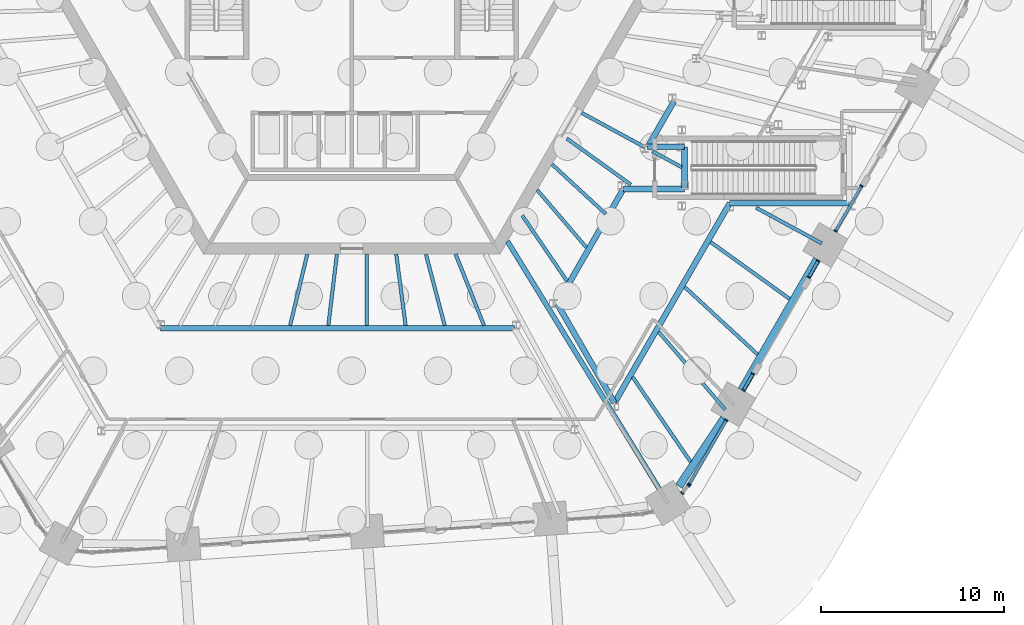
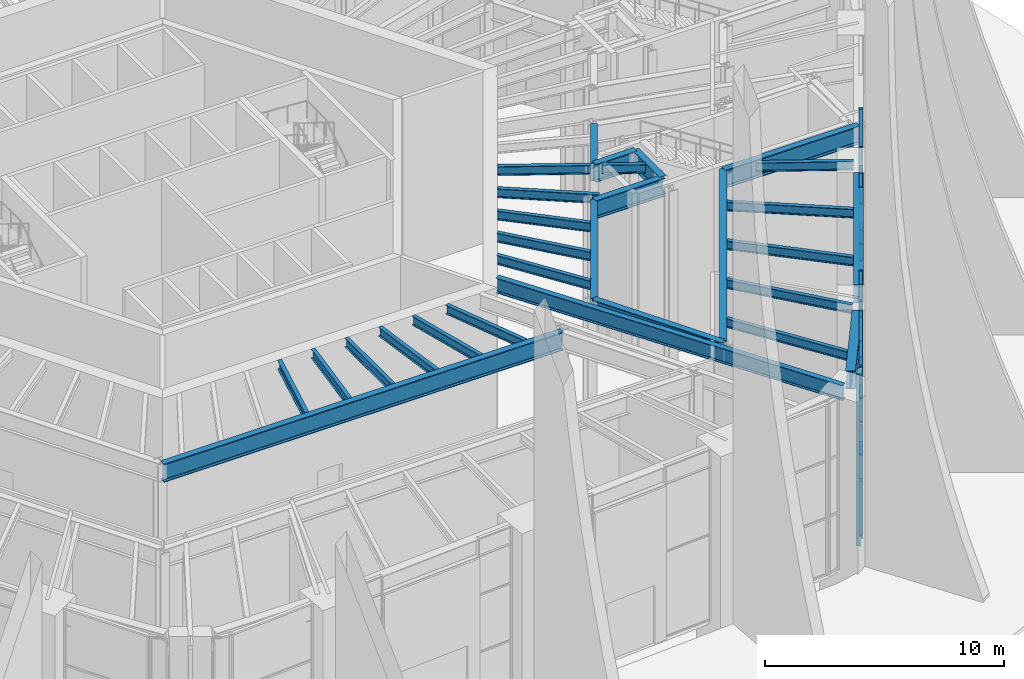
# One storey, part 7 of 43: 29 beams, 26 members, 5 elements without a shape of their own.
"""IFC4 building model written with IfcOpenShell, lengths in metres."""

from ifc_helpers import new_model, si_unit, direction, frame, origin, origin_2d, place, context, subcontext, project, spatial, rectangle, i_section, extrude, material, material_profile, profile_set, type_object, element, aggregate, save


model = new_model("IFC4")

# Units and contexts
model_context = context("Model", 3, precision=1e-05, world=origin(), true_north=direction((0.0, 1.0)))
body_context = subcontext(model_context, "Body", "Model", "MODEL_VIEW")
ifc_project = project(units=[si_unit("LENGTHUNIT", "METRE"), si_unit("AREAUNIT", "SQUARE_METRE"), si_unit("VOLUMEUNIT", "CUBIC_METRE"), si_unit("PLANEANGLEUNIT", "RADIAN"), si_unit("MASSUNIT", "GRAM", prefix="KILO")], contexts=[model_context])

# Site, building, storey
site_placement = place(None, origin())
site = spatial("IfcSite", under=ifc_project, at=site_placement, CompositionType="ELEMENT")
building_placement = place(site_placement, origin())
building = spatial("IfcBuilding", under=site, at=building_placement, Name="Tarnside Tower", CompositionType="ELEMENT")
storey_placement = place(building_placement, origin())
storey = spatial("IfcBuildingStorey", under=building, at=storey_placement, Name="L00", CompositionType="ELEMENT", Elevation=0.0)

# Beams
ifc_material_1 = material(Name="Steel S355", Category="steel")
ifc_material_profile_1 = material_profile(ifc_material_1, i_section(OverallWidth=0.18994140625, OverallDepth=0.453369140625, WebThickness=0.008544921875, FlangeThickness=0.0126953125, FilletRadius=0.01025390625, at=origin_2d()), Name="UB 457x191x67")
ifc_profile_set_1 = profile_set([ifc_material_profile_1], Name="Steel S355")
beam_type_1 = type_object("IfcBeamType", Name="Floor beam UB 457x191x67", PredefinedType="BEAM", material=ifc_profile_set_1)
beam_1_placement = place(storey_placement, frame((-3.35791015625, -17.892333984375, 8.523193359375), z_axis=(0.233123796342, 0.972447065695, 0.0), x_axis=(-0.972447065695, 0.233123796342, 0.0)))
element("IfcBeam", 1, at=beam_1_placement, inside=storey, type_object=beam_type_1, Name="Floor beam F4.03b", PredefinedType="BEAM", context=body_context, shape_type="SweptSolid", body=[
    extrude(i_section(OverallWidth=0.18994140625, OverallDepth=0.453369140625, WebThickness=0.008544921875, FlangeThickness=0.0126953125, FilletRadius=0.01025390625, at=origin_2d()), origin(), (0.0, 0.0, 1.0), 4.002685546875),
])
beam_2_placement = place(storey_placement, frame((-1.275146484375, -17.892333984375, 8.523193359375), z_axis=(0.119074004272, 0.992885381858, 0.0), x_axis=(-0.992885381858, 0.119074004272, 0.0)))
element("IfcBeam", 2, at=beam_2_placement, inside=storey, type_object=beam_type_1, Name="Floor beam F4.04b", PredefinedType="BEAM", context=body_context, shape_type="SweptSolid", body=[
    extrude(i_section(OverallWidth=0.18994140625, OverallDepth=0.453369140625, WebThickness=0.008544921875, FlangeThickness=0.0126953125, FilletRadius=0.01025390625, at=origin_2d()), origin(), (0.0, 0.0, 1.0), 3.920166015625),
])
beam_3_placement = place(storey_placement, frame((0.822509765625, -17.892333984375, 8.523193359375), z_axis=(-0.00363793616, 0.999993382688, 0.0), x_axis=(-0.999993382688, -0.00363793616, 0.0)))
element("IfcBeam", 3, at=beam_3_placement, inside=storey, type_object=beam_type_1, Name="Floor beam F4.05b", PredefinedType="BEAM", context=body_context, shape_type="SweptSolid", body=[
    extrude(i_section(OverallWidth=0.18994140625, OverallDepth=0.453369140625, WebThickness=0.008544921875, FlangeThickness=0.0126953125, FilletRadius=0.01025390625, at=origin_2d()), origin(), (0.0, 0.0, 1.0), 3.892333984375),
])
beam_4_placement = place(storey_placement, frame((2.935546875, -17.892333984375, 8.523193359375), z_axis=(-0.130102191191, 0.991500589938, 0.0), x_axis=(-0.991500589938, -0.130102191191, 0.0)))
element("IfcBeam", 4, at=beam_4_placement, inside=storey, type_object=beam_type_1, Name="Floor beam F4.06b", PredefinedType="BEAM", context=body_context, shape_type="SweptSolid", body=[
    extrude(i_section(OverallWidth=0.18994140625, OverallDepth=0.453369140625, WebThickness=0.008544921875, FlangeThickness=0.0126953125, FilletRadius=0.01025390625, at=origin_2d()), origin(), (0.0, 0.0, 1.0), 3.92578125),
])
beam_5_placement = place(storey_placement, frame((5.06494140625, -17.892333984375, 8.523193359375), z_axis=(-0.254293236428, 0.967127163256, 0.0), x_axis=(-0.967127163256, -0.254293236428, 0.0)))
element("IfcBeam", 5, at=beam_5_placement, inside=storey, type_object=beam_type_1, Name="Floor beam F4.07b", PredefinedType="BEAM", context=body_context, shape_type="SweptSolid", body=[
    extrude(i_section(OverallWidth=0.18994140625, OverallDepth=0.453369140625, WebThickness=0.008544921875, FlangeThickness=0.0126953125, FilletRadius=0.01025390625, at=origin_2d()), origin(), (0.0, 0.0, 1.0), 4.024658203125),
])
beam_6_placement = place(storey_placement, frame((7.211669921875, -17.892333984375, 8.523193359375), z_axis=(-0.37072769272, 0.928741609841, 0.0), x_axis=(-0.928741609841, -0.37072769272, 0.0)))
element("IfcBeam", 6, at=beam_6_placement, inside=storey, type_object=beam_type_1, Name="Floor beam F4.08b", PredefinedType="BEAM", context=body_context, shape_type="SweptSolid", body=[
    extrude(i_section(OverallWidth=0.18994140625, OverallDepth=0.453369140625, WebThickness=0.008544921875, FlangeThickness=0.0126953125, FilletRadius=0.01025390625, at=origin_2d()), origin(), (0.0, 0.0, 1.0), 4.19091796875),
])
beam_7_placement = place(storey_placement, frame((18.4658203125, -25.314697265625, 8.523193359375), z_axis=(-0.564344255159, 0.825539557907, 0.0), x_axis=(-0.825539557907, -0.564344255159, 0.0)))
element("IfcBeam", 7, at=beam_7_placement, inside=storey, type_object=beam_type_1, Name="Floor beam F5.01a", PredefinedType="BEAM", context=body_context, shape_type="SweptSolid", body=[
    extrude(i_section(OverallWidth=0.18994140625, OverallDepth=0.453369140625, WebThickness=0.008544921875, FlangeThickness=0.0126953125, FilletRadius=0.01025390625, at=origin_2d()), origin(), (0.0, 0.0, 1.0), 5.59228515625),
])
beam_8_placement = place(storey_placement, frame((11.73193359375, -15.46435546875, 8.523193359375), z_axis=(-0.564318985197, 0.825556832051, 0.0), x_axis=(-0.825556832051, -0.564318985197, 0.0)))
element("IfcBeam", 8, at=beam_8_placement, inside=storey, type_object=beam_type_1, Name="Floor beam F5.01b", PredefinedType="BEAM", context=body_context, shape_type="SweptSolid", body=[
    extrude(i_section(OverallWidth=0.18994140625, OverallDepth=0.453369140625, WebThickness=0.008544921875, FlangeThickness=0.0126953125, FilletRadius=0.01025390625, at=origin_2d()), origin(), (0.0, 0.0, 1.0), 4.317626953125),
])
beam_9_placement = place(storey_placement, frame((20.351806640625, -22.47021484375, 8.523193359375), z_axis=(-0.650354479954, 0.759630864568, 0.0), x_axis=(-0.759630864568, -0.650354479954, 0.0)))
element("IfcBeam", 9, at=beam_9_placement, inside=storey, type_object=beam_type_1, Name="Floor beam F5.02a", PredefinedType="BEAM", context=body_context, shape_type="SweptSolid", body=[
    extrude(i_section(OverallWidth=0.18994140625, OverallDepth=0.453369140625, WebThickness=0.008544921875, FlangeThickness=0.0126953125, FilletRadius=0.01025390625, at=origin_2d()), origin(), (0.0, 0.0, 1.0), 5.56982421875),
])
beam_10_placement = place(storey_placement, frame((12.787841796875, -13.63525390625, 8.523193359375), z_axis=(-0.650367471106, 0.75961974206, 0.0), x_axis=(-0.75961974206, -0.650367471106, 0.0)))
element("IfcBeam", 10, at=beam_10_placement, inside=storey, type_object=beam_type_1, Name="Floor beam F5.02b", PredefinedType="BEAM", context=body_context, shape_type="SweptSolid", body=[
    extrude(i_section(OverallWidth=0.18994140625, OverallDepth=0.453369140625, WebThickness=0.008544921875, FlangeThickness=0.0126953125, FilletRadius=0.01025390625, at=origin_2d()), origin(), (0.0, 0.0, 1.0), 4.12744140625),
])
beam_11_placement = place(storey_placement, frame((22.119384765625, -19.467529296875, 8.523193359375), z_axis=(-0.734091013074, 0.679051091247, 0.0), x_axis=(-0.679051091247, -0.734091013074, 0.0)))
element("IfcBeam", 11, at=beam_11_placement, inside=storey, type_object=beam_type_1, Name="Floor beam F5.03a", PredefinedType="BEAM", context=body_context, shape_type="SweptSolid", body=[
    extrude(i_section(OverallWidth=0.18994140625, OverallDepth=0.453369140625, WebThickness=0.008544921875, FlangeThickness=0.0126953125, FilletRadius=0.01025390625, at=origin_2d()), origin(), (0.0, 0.0, 1.0), 5.416015625),
])
beam_12_placement = place(storey_placement, frame((13.841796875, -11.81005859375, 8.523193359375), z_axis=(-0.734127645336, 0.679011487645, 0.0), x_axis=(-0.679011487645, -0.734127645336, 0.0)))
element("IfcBeam", 12, at=beam_12_placement, inside=storey, type_object=beam_type_1, Name="Floor beam F5.03b", PredefinedType="BEAM", context=body_context, shape_type="SweptSolid", body=[
    extrude(i_section(OverallWidth=0.18994140625, OverallDepth=0.453369140625, WebThickness=0.008544921875, FlangeThickness=0.0126953125, FilletRadius=0.01025390625, at=origin_2d()), origin(), (0.0, 0.0, 1.0), 3.990966796875),
])
beam_13_placement = place(storey_placement, frame((23.86669921875, -16.441162109375, 8.523193359375), z_axis=(-0.811649466332, 0.584144796949, 0.0), x_axis=(-0.584144796949, -0.811649466332, 0.0)))
element("IfcBeam", 13, at=beam_13_placement, inside=storey, type_object=beam_type_1, Name="Floor beam F5.04a", PredefinedType="BEAM", context=body_context, shape_type="SweptSolid", body=[
    extrude(i_section(OverallWidth=0.18994140625, OverallDepth=0.453369140625, WebThickness=0.008544921875, FlangeThickness=0.0126953125, FilletRadius=0.01025390625, at=origin_2d()), origin(), (0.0, 0.0, 1.0), 5.308837890625),
])
beam_14_placement = place(storey_placement, frame((15.208740234375, -10.21044921875, 8.523193359375), z_axis=(-0.811671151392, 0.584114665111, 0.0), x_axis=(-0.584114665111, -0.811671151392, 0.0)))
element("IfcBeam", 14, at=beam_14_placement, inside=storey, type_object=beam_type_1, Name="Floor beam F5.04b", PredefinedType="BEAM", context=body_context, shape_type="SweptSolid", body=[
    extrude(i_section(OverallWidth=0.18994140625, OverallDepth=0.453369140625, WebThickness=0.008544921875, FlangeThickness=0.0126953125, FilletRadius=0.01025390625, at=origin_2d()), origin(), (0.0, 0.0, 1.0), 4.2978515625),
])
beam_15_placement = place(storey_placement, frame((25.614013671875, -13.41455078125, 8.523193359375), z_axis=(-0.878558909546, 0.477634004712, 0.0), x_axis=(-0.477634004712, -0.878558909546, 0.0)))
element("IfcBeam", 15, at=beam_15_placement, inside=storey, type_object=beam_type_1, Name="Floor beam F5.05a", PredefinedType="BEAM", context=body_context, shape_type="SweptSolid", body=[
    extrude(i_section(OverallWidth=0.18994140625, OverallDepth=0.453369140625, WebThickness=0.008544921875, FlangeThickness=0.0126953125, FilletRadius=0.01025390625, at=origin_2d()), origin(), (0.0, 0.0, 1.0), 4.07373046875),
])
beam_16_placement = place(storey_placement, frame((17.982421875, -9.26513671875, 8.523193359375), z_axis=(-0.878595217191, 0.477567214462, 0.0), x_axis=(-0.477567214462, -0.878595217191, 0.0)))
element("IfcBeam", 16, at=beam_16_placement, inside=storey, type_object=beam_type_1, Name="Floor beam F5.05b", PredefinedType="BEAM", context=body_context, shape_type="SweptSolid", body=[
    extrude(i_section(OverallWidth=0.18994140625, OverallDepth=0.453369140625, WebThickness=0.008544921875, FlangeThickness=0.0126953125, FilletRadius=0.01025390625, at=origin_2d()), origin(), (0.0, 0.0, 1.0), 1.824462890625),
])
beam_17_placement = place(storey_placement, frame((15.94921875, -8.159912109375, 8.523193359375), z_axis=(-0.878536993759, 0.477674314357, 0.0), x_axis=(-0.477674314357, -0.878536993759, 0.0)))
element("IfcBeam", 17, at=beam_17_placement, inside=storey, type_object=beam_type_1, Name="Floor beam F5.05c", PredefinedType="BEAM", context=body_context, shape_type="SweptSolid", body=[
    extrude(i_section(OverallWidth=0.18994140625, OverallDepth=0.453369140625, WebThickness=0.008544921875, FlangeThickness=0.0126953125, FilletRadius=0.01025390625, at=origin_2d()), origin(), (0.0, 0.0, 1.0), 3.8935546875),
])
ifc_material_profile_2 = material_profile(ifc_material_1, i_section(OverallWidth=0.2666015625, OverallDepth=0.76220703125, WebThickness=0.014404296875, FlangeThickness=0.021484375, FilletRadius=0.0166015625, at=origin_2d()), Name="UB 762x267x173")
ifc_profile_set_2 = profile_set([ifc_material_profile_2], Name="Steel S355")
beam_type_2 = type_object("IfcBeamType", Name="Floor beam UB 762x267x173", PredefinedType="BEAM", material=ifc_profile_set_2)
beam_18_placement = place(storey_placement, frame((17.107421875, -27.364013671875, 8.368896484375), z_axis=(-0.522584616484, 0.852587425789, 0.0), x_axis=(-0.852587425789, -0.522584616484, 0.0)))
element("IfcBeam", 18, at=beam_18_placement, inside=storey, type_object=beam_type_2, Name="Floor beam C4", PredefinedType="BEAM", context=body_context, shape_type="SweptSolid", body=[
    extrude(i_section(OverallWidth=0.2666015625, OverallDepth=0.76220703125, WebThickness=0.014404296875, FlangeThickness=0.021484375, FilletRadius=0.0166015625, at=origin_2d()), origin(), (0.0, 0.0, 1.0), 16.49560546875),
])
ifc_material_profile_3 = material_profile(ifc_material_1, i_section(OverallWidth=0.3076171875, OverallDepth=0.926513671875, WebThickness=0.01953125, FlangeThickness=0.031982421875, FilletRadius=0.01904296875, at=origin_2d()), Name="UB 914x305x289")
ifc_profile_set_3 = profile_set([ifc_material_profile_3], Name="Steel S355")
beam_type_3 = type_object("IfcBeamType", Name="Perimeter girder UB 914x305x289", PredefinedType="BEAM", material=ifc_profile_set_3)
beam_19_placement = place(storey_placement, frame((16.13037109375, -8.15380859375, 8.28662109375), z_axis=(0.499993961228, 0.866028890243, 0.0), x_axis=(-0.866028890243, 0.499993961228, 0.0)))
element("IfcBeam", 19, at=beam_19_placement, inside=storey, type_object=beam_type_3, Name="Perimeter girder T13", PredefinedType="BEAM", context=body_context, shape_type="SweptSolid", body=[
    extrude(i_section(OverallWidth=0.3076171875, OverallDepth=0.926513671875, WebThickness=0.01953125, FlangeThickness=0.031982421875, FilletRadius=0.01904296875, at=origin_2d()), origin(), (0.0, 0.0, 1.0), 2.85400390625),
])
beam_20_placement = place(storey_placement, frame((27.11376953125, -11.228759765625, 8.28662109375), z_axis=(-1.0, 0.0, 0.0), x_axis=(0.0, -1.0, 0.0)))
element("IfcBeam", 20, at=beam_20_placement, inside=storey, type_object=beam_type_3, Name="Perimeter girder T17", PredefinedType="BEAM", context=body_context, shape_type="SweptSolid", body=[
    extrude(i_section(OverallWidth=0.3076171875, OverallDepth=0.926513671875, WebThickness=0.01953125, FlangeThickness=0.031982421875, FilletRadius=0.01904296875, at=origin_2d()), origin(), (0.0, 0.0, 1.0), 6.5146484375),
])
beam_21_placement = place(storey_placement, frame((20.59912109375, -11.228759765625, 8.28662109375), z_axis=(-0.499989388427, -0.866031530292, 0.0), x_axis=(0.866031530292, -0.499989388427, 0.0)))
element("IfcBeam", 21, at=beam_21_placement, inside=storey, type_object=beam_type_3, Name="Perimeter girder T18", PredefinedType="BEAM", context=body_context, shape_type="SweptSolid", body=[
    extrude(i_section(OverallWidth=0.3076171875, OverallDepth=0.926513671875, WebThickness=0.01953125, FlangeThickness=0.031982421875, FilletRadius=0.01904296875, at=origin_2d()), origin(), (0.0, 0.0, 1.0), 12.561767578125),
])
beam_22_placement = place(storey_placement, frame((14.318359375, -22.107666015625, 8.28662109375), z_axis=(-0.500020277997, 0.866013695961, 0.0), x_axis=(-0.866013695961, -0.500020277997, 0.0)))
element("IfcBeam", 22, at=beam_22_placement, inside=storey, type_object=beam_type_3, Name="Perimeter girder T19", PredefinedType="BEAM", context=body_context, shape_type="SweptSolid", body=[
    extrude(i_section(OverallWidth=0.3076171875, OverallDepth=0.926513671875, WebThickness=0.01953125, FlangeThickness=0.031982421875, FilletRadius=0.01904296875, at=origin_2d()), origin(), (0.0, 0.0, 1.0), 6.244384765625),
])
beam_23_placement = place(storey_placement, frame((11.196044921875, -16.699951171875, 8.28662109375), z_axis=(0.500029739169, 0.866008233186, 0.0), x_axis=(-0.866008233186, 0.500029739169, 0.0)))
element("IfcBeam", 23, at=beam_23_placement, inside=storey, type_object=beam_type_3, Name="Perimeter girder T20", PredefinedType="BEAM", context=body_context, shape_type="SweptSolid", body=[
    extrude(i_section(OverallWidth=0.3076171875, OverallDepth=0.926513671875, WebThickness=0.01953125, FlangeThickness=0.031982421875, FilletRadius=0.01904296875, at=origin_2d()), origin(), (0.0, 0.0, 1.0), 7.22119140625),
])
beam_24_placement = place(storey_placement, frame((14.806884765625, -10.4462890625, 8.28662109375), z_axis=(1.0, 0.0, 0.0), x_axis=(0.0, 1.0, 0.0)))
element("IfcBeam", 24, at=beam_24_placement, inside=storey, type_object=beam_type_3, Name="Perimeter girder T21", PredefinedType="BEAM", context=body_context, shape_type="SweptSolid", body=[
    extrude(i_section(OverallWidth=0.3076171875, OverallDepth=0.926513671875, WebThickness=0.01953125, FlangeThickness=0.031982421875, FilletRadius=0.01904296875, at=origin_2d()), origin(), (0.0, 0.0, 1.0), 3.329345703125),
])
beam_25_placement = place(storey_placement, frame((18.13623046875, -10.4462890625, 8.28662109375), z_axis=(0.0, 1.0, 0.0), x_axis=(-1.0, 0.0, 0.0)))
element("IfcBeam", 25, at=beam_25_placement, inside=storey, type_object=beam_type_3, Name="Perimeter girder T22", PredefinedType="BEAM", context=body_context, shape_type="SweptSolid", body=[
    extrude(i_section(OverallWidth=0.3076171875, OverallDepth=0.926513671875, WebThickness=0.01953125, FlangeThickness=0.031982421875, FilletRadius=0.01904296875, at=origin_2d()), origin(), (0.0, 0.0, 1.0), 2.29248046875),
])
beam_26_placement = place(storey_placement, frame((18.13623046875, -8.15380859375, 8.28662109375), z_axis=(-1.0, 0.0, 0.0), x_axis=(0.0, -1.0, 0.0)))
element("IfcBeam", 26, at=beam_26_placement, inside=storey, type_object=beam_type_3, Name="Perimeter girder T23", PredefinedType="BEAM", context=body_context, shape_type="SweptSolid", body=[
    extrude(i_section(OverallWidth=0.3076171875, OverallDepth=0.926513671875, WebThickness=0.01953125, FlangeThickness=0.031982421875, FilletRadius=0.01904296875, at=origin_2d()), origin(), (0.0, 0.0, 1.0), 2.005859375),
])
beam_27_placement = place(storey_placement, frame((-10.4189453125, -18.046142578125, 8.28662109375), z_axis=(1.0, 0.0, 0.0), x_axis=(0.0, 1.0, 0.0)))
element("IfcBeam", 27, at=beam_27_placement, inside=storey, type_object=beam_type_3, Name="Perimeter girder T60", PredefinedType="BEAM", context=body_context, shape_type="SweptSolid", body=[
    extrude(i_section(OverallWidth=0.3076171875, OverallDepth=0.926513671875, WebThickness=0.01953125, FlangeThickness=0.031982421875, FilletRadius=0.01904296875, at=origin_2d()), origin(), (0.0, 0.0, 1.0), 19.283447265625),
])
ifc_material_2 = material(Name="Steel S460", Category="steel")
ifc_material_profile_4 = material_profile(ifc_material_2, i_section(OverallWidth=0.42041015625, OverallDepth=0.9208984375, WebThickness=0.021484375, FlangeThickness=0.03662109375, FilletRadius=0.024169921875, at=origin_2d()), Name="UB 914x419x388")
ifc_profile_set_4 = profile_set([ifc_material_profile_4], Name="Steel S460")
beam_type_4 = type_object("IfcBeamType", Name="Perimeter girder UB 914x419x388", PredefinedType="BEAM", material=ifc_profile_set_4)
beam_28_placement = place(storey_placement, frame((17.833251953125, -26.649658203125, 8.28955078125), z_axis=(0.55252857913, 0.833493952734, 0.0), x_axis=(-0.833493952734, 0.55252857913, 0.0)))
element("IfcBeam", 28, at=beam_28_placement, inside=storey, type_object=beam_type_4, Name="Perimeter girder M16", PredefinedType="BEAM", context=body_context, shape_type="SweptSolid", body=[
    extrude(i_section(OverallWidth=0.42041015625, OverallDepth=0.9208984375, WebThickness=0.021484375, FlangeThickness=0.03662109375, FilletRadius=0.024169921875, at=origin_2d()), origin(), (0.0, 0.0, 1.0), 4.440185546875),
])
beam_29_placement = place(storey_placement, frame((21.2451171875, -21.402587890625, 8.28955078125), z_axis=(0.499989712218, 0.866031343357, 0.0), x_axis=(-0.866031343357, 0.499989712218, 0.0)))
element("IfcBeam", 29, at=beam_29_placement, inside=storey, type_object=beam_type_4, Name="Perimeter girder M17", PredefinedType="BEAM", context=body_context, shape_type="SweptSolid", body=[
    extrude(i_section(OverallWidth=0.42041015625, OverallDepth=0.9208984375, WebThickness=0.021484375, FlangeThickness=0.03662109375, FilletRadius=0.024169921875, at=origin_2d()), origin(), (0.0, 0.0, 1.0), 8.223876953125),
])

# Curtain wall, members
ifc_material_3 = material(Name="Station concourse glazing wall", Category="glass")
curtain_wall_type = type_object("IfcCurtainWallType", Name="Station concourse glazing wall", PredefinedType="NOTDEFINED", material=ifc_material_3)
curtain_wall_1_placement = place(storey_placement, origin())
curtain_wall_1 = element("IfcCurtainWall", 30, at=curtain_wall_1_placement, inside=storey, type_object=curtain_wall_type, Name="Station concourse glazing L00 15.0", PredefinedType="NOTDEFINED")
ifc_material_4 = material(Name="Aluminium alloy 6063", Category="aluminium")
ifc_material_profile_5 = material_profile(ifc_material_4, rectangle(XDim=0.199951171875, YDim=0.080078125, at=origin_2d()), Name="Station concourse glazing mullion 80 x 200")
ifc_profile_set_5 = profile_set([ifc_material_profile_5], Name="Aluminium alloy 6063")
member_type_1 = type_object("IfcMemberType", Name="Station concourse glazing mullion 80 x 200", PredefinedType="MULLION", material=ifc_profile_set_5)
member_1_placement = place(storey_placement, frame((18.00634765625, -27.025146484375, 0.0), z_axis=(0.0, 0.0, 1.0), x_axis=(-0.773471592273, 0.633830967961, 0.0)))
member_1 = element("IfcMember", 31, at=member_1_placement, type_object=member_type_1, Name="CW1 mullion 1", PredefinedType="MULLION", context=body_context, shape_type="SweptSolid", body=[
    extrude(rectangle(XDim=0.199951171875, YDim=0.080078125, at=origin_2d()), origin(), (0.0, 0.0, 1.0), 8.75),
])
member_2_placement = place(storey_placement, frame((18.341064453125, -26.61669921875, 0.0), z_axis=(0.0, 0.0, 1.0), x_axis=(-0.773471592273, 0.633830967961, 0.0)))
member_2 = element("IfcMember", 32, at=member_2_placement, type_object=member_type_1, Name="CW1 mullion 2", PredefinedType="MULLION", context=body_context, shape_type="SweptSolid", body=[
    extrude(rectangle(XDim=0.199951171875, YDim=0.080078125, at=origin_2d()), origin(), (0.0, 0.0, 1.0), 8.75),
])
aggregate(curtain_wall_1, [member_1, member_2])

curtain_wall_2_placement = place(storey_placement, origin())
curtain_wall_2 = element("IfcCurtainWall", 33, at=curtain_wall_2_placement, inside=storey, type_object=curtain_wall_type, Name="Station concourse glazing L00 15.1", PredefinedType="NOTDEFINED")
member_3_placement = place(storey_placement, frame((18.395751953125, -26.53759765625, 0.0), z_axis=(0.0, 0.0, 1.0), x_axis=(-0.866025403767, 0.50000000003, 0.0)))
member_3 = element("IfcMember", 34, at=member_3_placement, type_object=member_type_1, Name="CW1 mullion 1", PredefinedType="MULLION", context=body_context, shape_type="SweptSolid", body=[
    extrude(rectangle(XDim=0.199951171875, YDim=0.080078125, at=origin_2d()), origin(), (0.0, 0.0, 1.0), 8.75),
])
member_4_placement = place(storey_placement, frame((20.41162109375, -23.0458984375, 0.0), z_axis=(0.0, 0.0, 1.0), x_axis=(-0.866025403767, 0.50000000003, 0.0)))
member_4 = element("IfcMember", 35, at=member_4_placement, type_object=member_type_1, Name="CW1 mullion 2", PredefinedType="MULLION", context=body_context, shape_type="SweptSolid", body=[
    extrude(rectangle(XDim=0.199951171875, YDim=0.080078125, at=origin_2d()), origin(), (0.0, 0.0, 1.0), 8.75),
])

curtain_wall_3_placement = place(storey_placement, origin())
curtain_wall_3 = element("IfcCurtainWall", 36, at=curtain_wall_3_placement, inside=storey, type_object=curtain_wall_type, Name="Side light 16a", PredefinedType="NOTDEFINED")
member_5_placement = place(storey_placement, frame((21.3515625, -21.41796875, 0.0), z_axis=(0.0, 0.0, 1.0), x_axis=(-0.866025404195, 0.49999999929, 0.0)))
member_5 = element("IfcMember", 37, at=member_5_placement, type_object=member_type_1, Name="CW1 mullion 1", PredefinedType="MULLION", context=body_context, shape_type="SweptSolid", body=[
    extrude(rectangle(XDim=0.199951171875, YDim=0.080078125, at=origin_2d()), origin(), (0.0, 0.0, 1.0), 8.75),
])
member_6_placement = place(storey_placement, frame((21.86767578125, -20.524169921875, 0.0), z_axis=(0.0, 0.0, 1.0), x_axis=(-0.866025404195, 0.49999999929, 0.0)))
member_6 = element("IfcMember", 38, at=member_6_placement, type_object=member_type_1, Name="CW1 mullion 2", PredefinedType="MULLION", context=body_context, shape_type="SweptSolid", body=[
    extrude(rectangle(XDim=0.199951171875, YDim=0.080078125, at=origin_2d()), origin(), (0.0, 0.0, 1.0), 8.75),
])

curtain_wall_4_placement = place(storey_placement, origin())
curtain_wall_4 = element("IfcCurtainWall", 39, at=curtain_wall_4_placement, inside=storey, type_object=curtain_wall_type, Name="Side light 16b", PredefinedType="NOTDEFINED")
member_7_placement = place(storey_placement, frame((24.907470703125, -15.2587890625, 0.0), z_axis=(0.0, 0.0, 1.0), x_axis=(-0.866025403802, 0.49999999997, 0.0)))
member_7 = element("IfcMember", 40, at=member_7_placement, type_object=member_type_1, Name="CW1 mullion 1", PredefinedType="MULLION", context=body_context, shape_type="SweptSolid", body=[
    extrude(rectangle(XDim=0.199951171875, YDim=0.080078125, at=origin_2d()), origin(), (0.0, 0.0, 1.0), 8.75),
])
member_8_placement = place(storey_placement, frame((25.423583984375, -14.365234375, 0.0), z_axis=(0.0, 0.0, 1.0), x_axis=(-0.866025403802, 0.49999999997, 0.0)))
member_8 = element("IfcMember", 41, at=member_8_placement, type_object=member_type_1, Name="CW1 mullion 2", PredefinedType="MULLION", context=body_context, shape_type="SweptSolid", body=[
    extrude(rectangle(XDim=0.199951171875, YDim=0.080078125, at=origin_2d()), origin(), (0.0, 0.0, 1.0), 8.75),
])

curtain_wall_5_placement = place(storey_placement, origin())
curtain_wall_5 = element("IfcCurtainWall", 42, at=curtain_wall_5_placement, inside=storey, type_object=curtain_wall_type, Name="Side light 170a", PredefinedType="NOTDEFINED")
member_9_placement = place(storey_placement, frame((26.363525390625, -12.737060546875, 0.0), z_axis=(0.0, 0.0, 1.0), x_axis=(-0.866025403723, 0.500000000106, 0.0)))
member_9 = element("IfcMember", 43, at=member_9_placement, type_object=member_type_1, Name="CW1 mullion 1", PredefinedType="MULLION", context=body_context, shape_type="SweptSolid", body=[
    extrude(rectangle(XDim=0.199951171875, YDim=0.080078125, at=origin_2d()), origin(), (0.0, 0.0, 1.0), 8.75),
])
member_10_placement = place(storey_placement, frame((27.779296875, -10.28466796875, 0.0), z_axis=(0.0, 0.0, 1.0), x_axis=(-0.866025403723, 0.500000000106, 0.0)))
member_10 = element("IfcMember", 44, at=member_10_placement, type_object=member_type_1, Name="CW1 mullion 2", PredefinedType="MULLION", context=body_context, shape_type="SweptSolid", body=[
    extrude(rectangle(XDim=0.199951171875, YDim=0.080078125, at=origin_2d()), origin(), (0.0, 0.0, 1.0), 8.75),
])

# Member
ifc_material_profile_6 = material_profile(ifc_material_4, rectangle(XDim=0.159912109375, YDim=0.080078125, at=origin_2d()), Name="Station concourse glazing transom 80 x 160")
ifc_profile_set_6 = profile_set([ifc_material_profile_6], Name="Aluminium alloy 6063")
member_type_2 = type_object("IfcMemberType", Name="Station concourse glazing transom 80 x 160", PredefinedType="USERDEFINED", material=ifc_profile_set_6)
member_11_placement = place(storey_placement, frame((18.415771484375, -26.5029296875, 0.0400390625), z_axis=(0.499986281351, 0.866033324105, 0.0), x_axis=(-0.866033324105, 0.499986281351, 0.0)))
member_11 = element("IfcMember", 45, at=member_11_placement, type_object=member_type_2, Name="CW1 transom 1.1", ObjectType="TRANSOM", PredefinedType="USERDEFINED", context=body_context, shape_type="SweptSolid", body=[
    extrude(rectangle(XDim=0.159912109375, YDim=0.080078125, at=origin_2d()), origin(), (0.0, 0.0, 1.0), 3.95166015625),
])

member_12_placement = place(storey_placement, frame((18.415771484375, -26.5029296875, 2.916748046875), z_axis=(0.499986281351, 0.866033324105, 0.0), x_axis=(-0.866033324105, 0.499986281351, 0.0)))
member_12 = element("IfcMember", 46, at=member_12_placement, type_object=member_type_2, Name="CW1 transom 1.2", ObjectType="TRANSOM", PredefinedType="USERDEFINED", context=body_context, shape_type="SweptSolid", body=[
    extrude(rectangle(XDim=0.159912109375, YDim=0.080078125, at=origin_2d()), origin(), (0.0, 0.0, 1.0), 3.95166015625),
])

member_13_placement = place(storey_placement, frame((18.415771484375, -26.5029296875, 5.833251953125), z_axis=(0.499986281351, 0.866033324105, 0.0), x_axis=(-0.866033324105, 0.499986281351, 0.0)))
member_13 = element("IfcMember", 47, at=member_13_placement, type_object=member_type_2, Name="CW1 transom 1.3", ObjectType="TRANSOM", PredefinedType="USERDEFINED", context=body_context, shape_type="SweptSolid", body=[
    extrude(rectangle(XDim=0.159912109375, YDim=0.080078125, at=origin_2d()), origin(), (0.0, 0.0, 1.0), 3.95166015625),
])

member_14_placement = place(storey_placement, frame((18.415771484375, -26.5029296875, 8.7099609375), z_axis=(0.499986281351, 0.866033324105, 0.0), x_axis=(-0.866033324105, 0.499986281351, 0.0)))
member_14 = element("IfcMember", 48, at=member_14_placement, type_object=member_type_2, Name="CW1 transom 1.4", ObjectType="TRANSOM", PredefinedType="USERDEFINED", context=body_context, shape_type="SweptSolid", body=[
    extrude(rectangle(XDim=0.159912109375, YDim=0.080078125, at=origin_2d()), origin(), (0.0, 0.0, 1.0), 3.95166015625),
])

aggregate(curtain_wall_2, [member_3, member_4, member_11, member_12, member_13, member_14])

member_15_placement = place(storey_placement, frame((21.37158203125, -21.38330078125, 0.0400390625), z_axis=(0.500055416838, 0.865993406494, 0.0), x_axis=(-0.865993406494, 0.500055416838, 0.0)))
member_15 = element("IfcMember", 49, at=member_15_placement, type_object=member_type_2, Name="CW1 transom 1.1", ObjectType="TRANSOM", PredefinedType="USERDEFINED", context=body_context, shape_type="SweptSolid", body=[
    extrude(rectangle(XDim=0.159912109375, YDim=0.080078125, at=origin_2d()), origin(), (0.0, 0.0, 1.0), 0.9521484375),
])

member_16_placement = place(storey_placement, frame((21.37158203125, -21.38330078125, 2.916748046875), z_axis=(0.500055416838, 0.865993406494, 0.0), x_axis=(-0.865993406494, 0.500055416838, 0.0)))
member_16 = element("IfcMember", 50, at=member_16_placement, type_object=member_type_2, Name="CW1 transom 1.2", ObjectType="TRANSOM", PredefinedType="USERDEFINED", context=body_context, shape_type="SweptSolid", body=[
    extrude(rectangle(XDim=0.159912109375, YDim=0.080078125, at=origin_2d()), origin(), (0.0, 0.0, 1.0), 0.9521484375),
])

member_17_placement = place(storey_placement, frame((21.37158203125, -21.38330078125, 5.833251953125), z_axis=(0.500055416838, 0.865993406494, 0.0), x_axis=(-0.865993406494, 0.500055416838, 0.0)))
member_17 = element("IfcMember", 51, at=member_17_placement, type_object=member_type_2, Name="CW1 transom 1.3", ObjectType="TRANSOM", PredefinedType="USERDEFINED", context=body_context, shape_type="SweptSolid", body=[
    extrude(rectangle(XDim=0.159912109375, YDim=0.080078125, at=origin_2d()), origin(), (0.0, 0.0, 1.0), 0.9521484375),
])

member_18_placement = place(storey_placement, frame((21.37158203125, -21.38330078125, 8.7099609375), z_axis=(0.500055416838, 0.865993406494, 0.0), x_axis=(-0.865993406494, 0.500055416838, 0.0)))
member_18 = element("IfcMember", 52, at=member_18_placement, type_object=member_type_2, Name="CW1 transom 1.4", ObjectType="TRANSOM", PredefinedType="USERDEFINED", context=body_context, shape_type="SweptSolid", body=[
    extrude(rectangle(XDim=0.159912109375, YDim=0.080078125, at=origin_2d()), origin(), (0.0, 0.0, 1.0), 0.9521484375),
])

aggregate(curtain_wall_3, [member_5, member_6, member_15, member_16, member_17, member_18])

member_19_placement = place(storey_placement, frame((24.927490234375, -15.22412109375, 0.0400390625), z_axis=(0.500166486798, 0.865929261247, 0.0), x_axis=(-0.865929261247, 0.500166486798, 0.0)))
member_19 = element("IfcMember", 53, at=member_19_placement, type_object=member_type_2, Name="CW1 transom 1.1", ObjectType="TRANSOM", PredefinedType="USERDEFINED", context=body_context, shape_type="SweptSolid", body=[
    extrude(rectangle(XDim=0.159912109375, YDim=0.080078125, at=origin_2d()), origin(), (0.0, 0.0, 1.0), 0.951904296875),
])

member_20_placement = place(storey_placement, frame((24.927490234375, -15.22412109375, 2.916748046875), z_axis=(0.500166486798, 0.865929261247, 0.0), x_axis=(-0.865929261247, 0.500166486798, 0.0)))
member_20 = element("IfcMember", 54, at=member_20_placement, type_object=member_type_2, Name="CW1 transom 1.2", ObjectType="TRANSOM", PredefinedType="USERDEFINED", context=body_context, shape_type="SweptSolid", body=[
    extrude(rectangle(XDim=0.159912109375, YDim=0.080078125, at=origin_2d()), origin(), (0.0, 0.0, 1.0), 0.951904296875),
])

member_21_placement = place(storey_placement, frame((24.927490234375, -15.22412109375, 5.833251953125), z_axis=(0.500166486798, 0.865929261247, 0.0), x_axis=(-0.865929261247, 0.500166486798, 0.0)))
member_21 = element("IfcMember", 55, at=member_21_placement, type_object=member_type_2, Name="CW1 transom 1.3", ObjectType="TRANSOM", PredefinedType="USERDEFINED", context=body_context, shape_type="SweptSolid", body=[
    extrude(rectangle(XDim=0.159912109375, YDim=0.080078125, at=origin_2d()), origin(), (0.0, 0.0, 1.0), 0.951904296875),
])

member_22_placement = place(storey_placement, frame((24.927490234375, -15.22412109375, 8.7099609375), z_axis=(0.500166486798, 0.865929261247, 0.0), x_axis=(-0.865929261247, 0.500166486798, 0.0)))
member_22 = element("IfcMember", 56, at=member_22_placement, type_object=member_type_2, Name="CW1 transom 1.4", ObjectType="TRANSOM", PredefinedType="USERDEFINED", context=body_context, shape_type="SweptSolid", body=[
    extrude(rectangle(XDim=0.159912109375, YDim=0.080078125, at=origin_2d()), origin(), (0.0, 0.0, 1.0), 0.951904296875),
])

aggregate(curtain_wall_4, [member_7, member_8, member_19, member_20, member_21, member_22])

member_23_placement = place(storey_placement, frame((26.383544921875, -12.702392578125, 0.0400390625), z_axis=(0.500032206912, 0.866006808316, 0.0), x_axis=(-0.866006808316, 0.500032206912, 0.0)))
member_23 = element("IfcMember", 57, at=member_23_placement, type_object=member_type_2, Name="CW1 transom 1.1", ObjectType="TRANSOM", PredefinedType="USERDEFINED", context=body_context, shape_type="SweptSolid", body=[
    extrude(rectangle(XDim=0.159912109375, YDim=0.080078125, at=origin_2d()), origin(), (0.0, 0.0, 1.0), 2.751708984375),
])

member_24_placement = place(storey_placement, frame((26.383544921875, -12.702392578125, 2.916748046875), z_axis=(0.500032206912, 0.866006808316, 0.0), x_axis=(-0.866006808316, 0.500032206912, 0.0)))
member_24 = element("IfcMember", 58, at=member_24_placement, type_object=member_type_2, Name="CW1 transom 1.2", ObjectType="TRANSOM", PredefinedType="USERDEFINED", context=body_context, shape_type="SweptSolid", body=[
    extrude(rectangle(XDim=0.159912109375, YDim=0.080078125, at=origin_2d()), origin(), (0.0, 0.0, 1.0), 2.751708984375),
])

member_25_placement = place(storey_placement, frame((26.383544921875, -12.702392578125, 5.833251953125), z_axis=(0.500032206912, 0.866006808316, 0.0), x_axis=(-0.866006808316, 0.500032206912, 0.0)))
member_25 = element("IfcMember", 59, at=member_25_placement, type_object=member_type_2, Name="CW1 transom 1.3", ObjectType="TRANSOM", PredefinedType="USERDEFINED", context=body_context, shape_type="SweptSolid", body=[
    extrude(rectangle(XDim=0.159912109375, YDim=0.080078125, at=origin_2d()), origin(), (0.0, 0.0, 1.0), 2.751708984375),
])

member_26_placement = place(storey_placement, frame((26.383544921875, -12.702392578125, 8.7099609375), z_axis=(0.500032206912, 0.866006808316, 0.0), x_axis=(-0.866006808316, 0.500032206912, 0.0)))
member_26 = element("IfcMember", 60, at=member_26_placement, type_object=member_type_2, Name="CW1 transom 1.4", ObjectType="TRANSOM", PredefinedType="USERDEFINED", context=body_context, shape_type="SweptSolid", body=[
    extrude(rectangle(XDim=0.159912109375, YDim=0.080078125, at=origin_2d()), origin(), (0.0, 0.0, 1.0), 2.751708984375),
])

aggregate(curtain_wall_5, [member_9, member_10, member_23, member_24, member_25, member_26])

save(model, "model.ifc")
